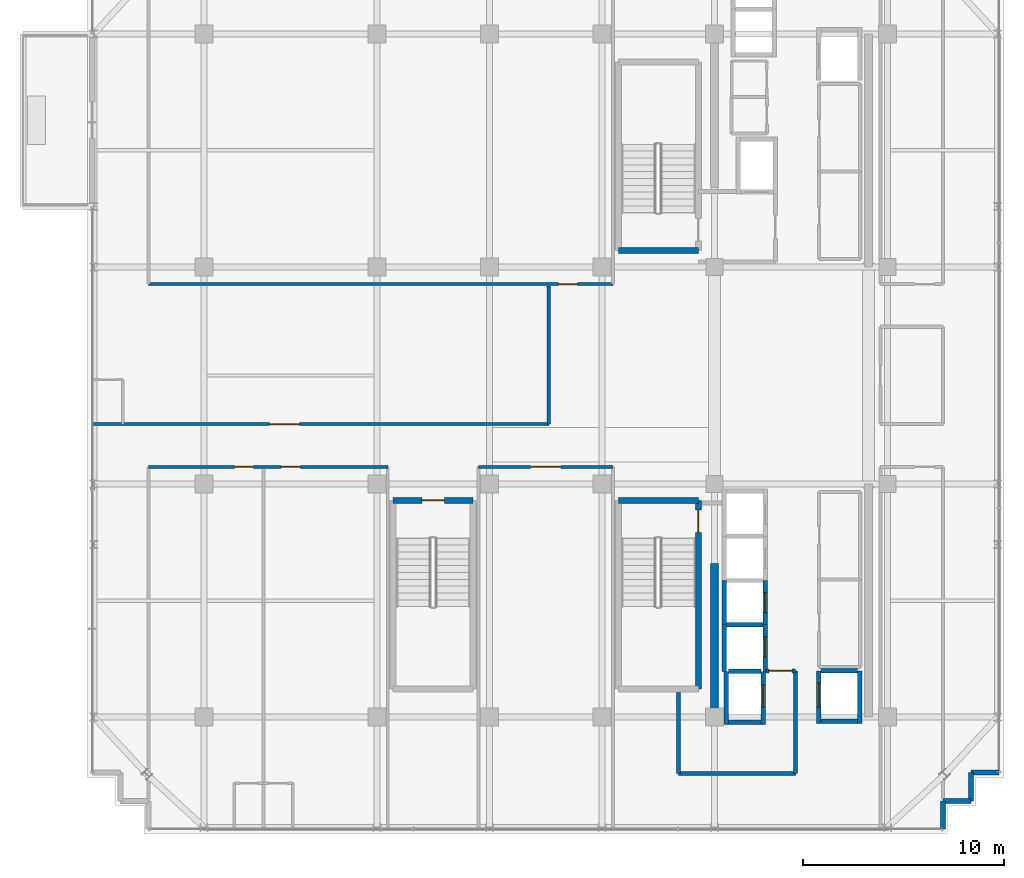
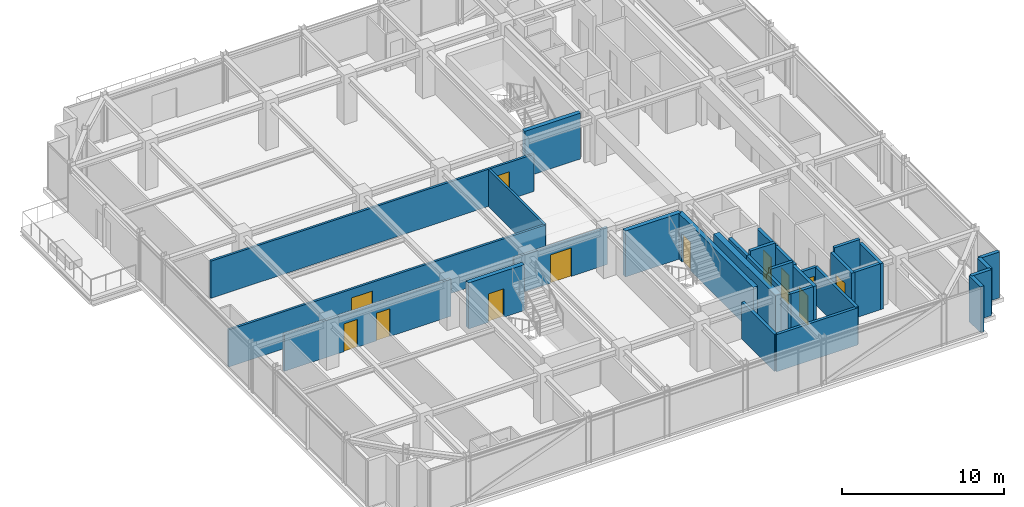
# One storey, part 28 of 34: 31 walls, 12 doors, 12 openings.
"""IFC4 building model written with IfcOpenShell, lengths in metres."""

from ifc_helpers import new_model, si_unit, direction, frame, frame_2d, origin, place, context, subcontext, project, spatial, rectangle, extrude, source, transform, mapped, material, layer, layer_set, type_object, element, fill, save


model = new_model("IFC4")

# Units and contexts
model_context = context("Model", 3, precision=1e-05, world=origin(), true_north=direction((0.0, 1.0)))
body_context = subcontext(model_context, "Body", "Model", "MODEL_VIEW")
ifc_project = project(units=[si_unit("LENGTHUNIT", "METRE"), si_unit("AREAUNIT", "SQUARE_METRE"), si_unit("VOLUMEUNIT", "CUBIC_METRE"), si_unit("PLANEANGLEUNIT", "RADIAN"), si_unit("MASSUNIT", "GRAM", prefix="KILO")], contexts=[model_context])

# Site, building, storey
site_placement = place(None, origin())
site = spatial("IfcSite", under=ifc_project, at=site_placement, CompositionType="ELEMENT")
building_placement = place(site_placement, origin())
building = spatial("IfcBuilding", under=site, at=building_placement, Name="Nahalor Promenade Grand Hotel", CompositionType="ELEMENT")
storey_placement = place(building_placement, frame((0.0, 0.0, 334.75)))
storey = spatial("IfcBuildingStorey", under=building, at=storey_placement, Name="L86", CompositionType="ELEMENT", Elevation=334.75)

# Walls
ifc_material_1 = material(Name="Concrete B-50 (C40/50)", Category="concrete")
ifc_layer_1 = layer(ifc_material_1, 0.39990234375)
ifc_layer_set_1 = layer_set([ifc_layer_1], Name="Concrete B-50 (C40/50)")
wall_type_1 = type_object("IfcWallType", Name="Wall-CoreShear-400", PredefinedType="SHEAR", material=ifc_layer_set_1)
shared_shape_1 = source(origin(), body_context, "Body", "SweptSolid", [
    extrude(rectangle(XDim=7.64990234375, YDim=0.39990234375, at=frame_2d((3.824951171875, 0.0))), origin(), (0.0, 0.0, 1.0), 3.469970703125),
])
wall_1_placement = place(storey_placement, frame((8.39990234375, -17.0, 0.0), z_axis=(0.0, 0.0, 1.0), x_axis=(0.0, 1.0, 0.0)))
element("IfcWall", 1, at=wall_1_placement, inside=storey, type_object=wall_type_1, Name="CWALL-L86-SW", PredefinedType="SHEAR", context=body_context, shape_type="MappedRepresentation", body=[
    mapped(shared_shape_1, transform((0.0, 0.0, 0.0), scale=1.0)),
])
ifc_layer_2 = layer(ifc_material_1, 0.300048828125)
ifc_layer_set_2 = layer_set([ifc_layer_2], Name="Concrete B-50 (C40/50)")
wall_type_2 = type_object("IfcWallType", Name="Wall-ShaftShear-300", PredefinedType="SHEAR", material=ifc_layer_set_2)
shared_shape_2 = source(origin(), body_context, "Body", "SweptSolid", [
    extrude(rectangle(XDim=3.97998046875, YDim=0.300048828125, at=frame_2d((1.989990234375, 0.0))), origin(), (0.0, 0.0, 1.0), 3.469970703125),
])
for number, where, z_axis, x_axis, name in (
    (2, (3.610107421875, 6.2099609375, 0.0), (0.0, 0.0, 1.0), (1.0, 0.0, 0.0), "L86 Exit Stair ST1 Shaft Wall S"),
    (3, (3.610107421875, -6.2099609375, 0.0), (0.0, 0.0, 1.0), (1.0, 0.0, 0.0), "L86 Exit Stair ST2 Shaft Wall N"),
):
    element("IfcWall", number, at=place(storey_placement, frame(where, z_axis=z_axis, x_axis=x_axis)), inside=storey, type_object=wall_type_2, Name=name, PredefinedType="SHEAR", context=body_context, shape_type="MappedRepresentation", body=[
        mapped(shared_shape_2, transform((0.0, 0.0, 0.0), scale=1.0)),
    ])

# Wall, opening, door
wall_2_placement = place(storey_placement, frame((-7.590087890625, -6.2099609375, 0.0), z_axis=(0.0, 0.0, 1.0), x_axis=(1.0, 0.0, 0.0)))
wall_2 = element("IfcWall", 4, at=wall_2_placement, inside=storey, type_object=wall_type_2, Name="L86 Exit Stair ST3 Shaft Wall N", PredefinedType="SHEAR", context=body_context, shape_type="MappedRepresentation", body=[
    mapped(shared_shape_2, transform((0.0, 0.0, 0.0), scale=1.0)),
])
opening_1_placement = place(wall_2_placement, frame((1.43994140625, 0.0, 0.0)))
opening_1 = element("IfcOpeningElement", 5, at=opening_1_placement, cuts=wall_2, Name="Opening D-ST1", PredefinedType="OPENING", context=body_context, shape_type="SweptSolid", body=[
    extrude(rectangle(XDim=1.10009765625, YDim=2.14990234375, at=frame_2d((0.550048828125, 1.074951171875))), frame((0.0, 0.159912109375, 0.0), z_axis=(0.0, -1.0, 0.0), x_axis=(1.0, 0.0, 0.0)), (0.0, 0.0, 1.0), 0.320068359375),
])
ifc_material_2 = material(Name="Steel S355JR", Category="steel")
door_type_1 = type_object("IfcDoorType", Name="Door-StairFire-1100", OperationType="NOTDEFINED", PredefinedType="DOOR", material=ifc_material_2)
shared_shape_3 = source(origin(), body_context, "Body", "SweptSolid", [
    extrude(rectangle(XDim=1.10009765625, YDim=2.14990234375, at=frame_2d((0.550048828125, 1.074951171875))), frame((0.0, 0.02490234375, 0.0), z_axis=(0.0, -1.0, 0.0), x_axis=(1.0, 0.0, 0.0)), (0.0, 0.0, 1.0), 0.050048828125),
])
door_1_placement = place(opening_1_placement, frame((1.10009765625, 0.0, 0.0), z_axis=(0.0, 0.0, 1.0), x_axis=(-1.0, 0.0, 0.0)))
door_1 = element("IfcDoor", 6, at=door_1_placement, inside=storey, type_object=door_type_1, Name="DR-STAIR-ST3-L86", OperationType="SINGLE_SWING_LEFT", OverallHeight=2.14990234375, OverallWidth=1.10009765625, PredefinedType="DOOR", context=body_context, shape_type="MappedRepresentation", body=[
    mapped(shared_shape_3, transform((0.0, 0.0, 0.0), scale=1.0)),
])
fill(opening_1, door_1)

shared_shape_4 = source(origin(), body_context, "Body", "SweptSolid", [
    extrude(rectangle(XDim=9.380126953125, YDim=0.300048828125, at=frame_2d((4.68994140625, 0.0))), origin(), (0.0, 0.0, 1.0), 3.469970703125),
])
wall_3_placement = place(storey_placement, frame((7.590087890625, -15.590087890625, 0.0), z_axis=(0.0, 0.0, 1.0), x_axis=(0.0, 1.0, 0.0)))
wall_3 = element("IfcWall", 7, at=wall_3_placement, inside=storey, type_object=wall_type_2, Name="L86 Exit Stair ST2 Shaft Wall E", PredefinedType="SHEAR", context=body_context, shape_type="MappedRepresentation", body=[
    mapped(shared_shape_4, transform((0.0, 0.0, 0.0), scale=1.0)),
])
opening_2_placement = place(wall_3_placement, frame((7.7900390625, 0.0, 0.0)))
opening_2 = element("IfcOpeningElement", 8, at=opening_2_placement, cuts=wall_3, Name="Opening D-ST1", PredefinedType="OPENING", context=body_context, shape_type="SweptSolid", body=[
    extrude(rectangle(XDim=1.10009765625, YDim=2.14990234375, at=frame_2d((0.550048828125, 1.074951171875))), frame((0.0, 0.159912109375, 0.0), z_axis=(0.0, -1.0, 0.0), x_axis=(1.0, 0.0, 0.0)), (0.0, 0.0, 1.0), 0.320068359375),
])
door_2_placement = place(opening_2_placement, origin())
door_2 = element("IfcDoor", 9, at=door_2_placement, inside=storey, type_object=door_type_1, Name="DR-STAIR-ST2-L86", OperationType="SINGLE_SWING_LEFT", OverallHeight=2.14990234375, OverallWidth=1.10009765625, PredefinedType="DOOR", context=body_context, shape_type="MappedRepresentation", body=[
    mapped(shared_shape_3, transform((0.0, 0.0, 0.0), scale=1.0)),
])
fill(opening_2, door_2)

# Walls
ifc_layer_3 = layer(ifc_material_1, 0.219970703125)
ifc_layer_set_3 = layer_set([ifc_layer_3], Name="Concrete B-50 (C40/50)")
wall_type_3 = type_object("IfcWallType", Name="Wall-LiftShaft-220", PredefinedType="SHEAR", material=ifc_layer_set_3)
shared_shape_5 = source(origin(), body_context, "Body", "SweptSolid", [
    extrude(rectangle(XDim=1.820068359375, YDim=0.219970703125, at=frame_2d((0.91015625, 0.0))), origin(), (0.0, 0.0, 1.0), 3.469970703125),
])
wall_4_placement = place(storey_placement, frame((13.68994140625, -17.199951171875, 0.0), z_axis=(0.0, 0.0, 1.0), x_axis=(1.0, 0.0, 0.0)))
element("IfcWall", 10, at=wall_4_placement, inside=storey, type_object=wall_type_3, Name="L86 Lift SV2 Hoistway Wall S", PredefinedType="SHEAR", context=body_context, shape_type="MappedRepresentation", body=[
    mapped(shared_shape_5, transform((0.0, 0.0, 0.0), scale=1.0)),
])
shared_shape_6 = source(origin(), body_context, "Body", "SweptSolid", [
    extrude(rectangle(XDim=1.820068359375, YDim=0.219970703125, at=frame_2d((0.91015625, 0.0))), origin(), (0.0, 0.0, 1.0), 3.800048828125),
])
for number, where, z_axis, x_axis, name in (
    (11, (8.989990234375, -12.39990234375, 0.0), (0.0, 0.0, 1.0), (1.0, 0.0, 0.0), "L86 Lift PL12 Hoistway Wall N"),
    (12, (13.68994140625, -14.699951171875, 0.0), (0.0, 0.0, 1.0), (1.0, 0.0, 0.0), "L86 Lift SV2 Hoistway Wall N"),
):
    element("IfcWall", number, at=place(storey_placement, frame(where, z_axis=z_axis, x_axis=x_axis)), inside=storey, type_object=wall_type_3, Name=name, PredefinedType="SHEAR", context=body_context, shape_type="MappedRepresentation", body=[
        mapped(shared_shape_6, transform((0.0, 0.0, 0.0), scale=1.0)),
    ])
shared_shape_7 = source(origin(), body_context, "Body", "SweptSolid", [
    extrude(rectangle(XDim=2.199951171875, YDim=0.219970703125, at=frame_2d((1.10009765625, 0.0))), origin(), (0.0, 0.0, 1.0), 3.469970703125),
])
wall_5_placement = place(storey_placement, frame((8.8798828125, -12.39990234375, 0.0), z_axis=(0.0, 0.0, 1.0), x_axis=(0.0, 1.0, 0.0)))
element("IfcWall", 13, at=wall_5_placement, inside=storey, type_object=wall_type_3, Name="L86 Lift PL11 Hoistway Wall W", PredefinedType="SHEAR", context=body_context, shape_type="MappedRepresentation", body=[
    mapped(shared_shape_7, transform((0.0, 0.0, 0.0), scale=1.0)),
])

# Wall, opening, door
wall_6_placement = place(storey_placement, frame((10.919921875, -12.39990234375, 0.0), z_axis=(0.0, 0.0, 1.0), x_axis=(0.0, 1.0, 0.0)))
wall_6 = element("IfcWall", 14, at=wall_6_placement, inside=storey, type_object=wall_type_3, Name="L86 Lift PL11 Hoistway Wall E", PredefinedType="SHEAR", context=body_context, shape_type="MappedRepresentation", body=[
    mapped(shared_shape_7, transform((0.0, 0.0, 0.0), scale=1.0)),
])
opening_3_placement = place(wall_6_placement, frame((0.60009765625, 0.0, 0.0)))
opening_3 = element("IfcOpeningElement", 15, at=opening_3_placement, cuts=wall_6, Name="Opening LD-01", PredefinedType="OPENING", context=body_context, shape_type="SweptSolid", body=[
    extrude(rectangle(XDim=1.0, YDim=2.199951171875, at=frame_2d((0.5, 1.10009765625))), frame((0.0, 0.119873046875, 0.0), z_axis=(0.0, -1.0, 0.0), x_axis=(1.0, 0.0, 0.0)), (0.0, 0.0, 1.0), 0.239990234375),
])
door_type_2 = type_object("IfcDoorType", Name="Door-LiftLanding-1000", OperationType="DOUBLE_DOOR_SLIDING", PredefinedType="DOOR", material=ifc_material_2)
shared_shape_8 = source(origin(), body_context, "Body", "SweptSolid", [
    extrude(rectangle(XDim=1.0, YDim=2.199951171875, at=frame_2d((0.5, 1.10009765625))), frame((0.0, 0.02490234375, 0.0), z_axis=(0.0, -1.0, 0.0), x_axis=(1.0, 0.0, 0.0)), (0.0, 0.0, 1.0), 0.050048828125),
])
door_3_placement = place(opening_3_placement, frame((1.0, 0.0, 0.0), z_axis=(0.0, 0.0, 1.0), x_axis=(-1.0, 0.0, 0.0)))
door_3 = element("IfcDoor", 16, at=door_3_placement, inside=storey, type_object=door_type_2, Name="DR-LIFT-PL11-L86", OperationType="DOUBLE_DOOR_SLIDING", OverallHeight=2.199951171875, OverallWidth=1.0, PredefinedType="DOOR", context=body_context, shape_type="MappedRepresentation", body=[
    mapped(shared_shape_8, transform((0.0, 0.0, 0.0), scale=1.0)),
])
fill(opening_3, door_3)

# Wall
shared_shape_9 = source(origin(), body_context, "Body", "SweptSolid", [
    extrude(rectangle(XDim=2.3251953125, YDim=0.219970703125, at=frame_2d((1.16259765625, 0.0))), origin(), (0.0, 0.0, 1.0), 3.469970703125),
])
wall_7_placement = place(storey_placement, frame((8.8798828125, -14.72509765625, 0.0), z_axis=(0.0, 0.0, 1.0), x_axis=(0.0, 1.0, 0.0)))
element("IfcWall", 17, at=wall_7_placement, inside=storey, type_object=wall_type_3, Name="L86 Lift PL12 Hoistway Wall W", PredefinedType="SHEAR", context=body_context, shape_type="MappedRepresentation", body=[
    mapped(shared_shape_9, transform((0.0, 0.0, 0.0), scale=1.0)),
])

# Wall, opening, door
wall_8_placement = place(storey_placement, frame((10.919921875, -14.72509765625, 0.0), z_axis=(0.0, 0.0, 1.0), x_axis=(0.0, 1.0, 0.0)))
wall_8 = element("IfcWall", 18, at=wall_8_placement, inside=storey, type_object=wall_type_3, Name="L86 Lift PL12 Hoistway Wall E", PredefinedType="SHEAR", context=body_context, shape_type="MappedRepresentation", body=[
    mapped(shared_shape_9, transform((0.0, 0.0, 0.0), scale=1.0)),
])
opening_4_placement = place(wall_8_placement, frame((0.72509765625, 0.0, 0.0)))
opening_4 = element("IfcOpeningElement", 19, at=opening_4_placement, cuts=wall_8, Name="Opening LD-01", PredefinedType="OPENING", context=body_context, shape_type="SweptSolid", body=[
    extrude(rectangle(XDim=1.0, YDim=2.199951171875, at=frame_2d((0.5, 1.10009765625))), frame((0.0, 0.119873046875, 0.0), z_axis=(0.0, -1.0, 0.0), x_axis=(1.0, 0.0, 0.0)), (0.0, 0.0, 1.0), 0.239990234375),
])
door_4_placement = place(opening_4_placement, frame((1.0, 0.0, 0.0), z_axis=(0.0, 0.0, 1.0), x_axis=(-1.0, 0.0, 0.0)))
door_4 = element("IfcDoor", 20, at=door_4_placement, inside=storey, type_object=door_type_2, Name="DR-LIFT-PL12-L86", OperationType="DOUBLE_DOOR_SLIDING", OverallHeight=2.199951171875, OverallWidth=1.0, PredefinedType="DOOR", context=body_context, shape_type="MappedRepresentation", body=[
    mapped(shared_shape_8, transform((0.0, 0.0, 0.0), scale=1.0)),
])
fill(opening_4, door_4)

# Walls
shared_shape_10 = source(origin(), body_context, "Body", "SweptSolid", [
    extrude(rectangle(XDim=1.619873046875, YDim=0.219970703125, at=frame_2d((0.81005859375, 0.0))), origin(), (0.0, 0.0, 1.0), 3.800048828125),
])
wall_9_placement = place(storey_placement, frame((9.090087890625, -14.72509765625, 0.0), z_axis=(0.0, 0.0, 1.0), x_axis=(1.0, 0.0, 0.0)))
element("IfcWall", 21, at=wall_9_placement, inside=storey, type_object=wall_type_3, Name="L86 Lift FL2 Hoistway Wall N", PredefinedType="SHEAR", context=body_context, shape_type="MappedRepresentation", body=[
    mapped(shared_shape_10, transform((0.0, 0.0, 0.0), scale=1.0)),
])
shared_shape_11 = source(origin(), body_context, "Body", "SweptSolid", [
    extrude(rectangle(XDim=2.635009765625, YDim=0.219970703125, at=frame_2d((1.3173828125, 0.0))), origin(), (0.0, 0.0, 1.0), 3.469970703125),
])
wall_10_placement = place(storey_placement, frame((8.97998046875, -17.360107421875, 0.0), z_axis=(0.0, 0.0, 1.0), x_axis=(0.0, 1.0, 0.0)))
element("IfcWall", 22, at=wall_10_placement, inside=storey, type_object=wall_type_3, Name="L86 Lift FL2 Hoistway Wall W", PredefinedType="SHEAR", context=body_context, shape_type="MappedRepresentation", body=[
    mapped(shared_shape_11, transform((0.0, 0.0, 0.0), scale=1.0)),
])

# Wall, opening, door
wall_11_placement = place(storey_placement, frame((10.820068359375, -17.360107421875, 0.0), z_axis=(0.0, 0.0, 1.0), x_axis=(0.0, 1.0, 0.0)))
wall_11 = element("IfcWall", 23, at=wall_11_placement, inside=storey, type_object=wall_type_3, Name="L86 Lift FL2 Hoistway Wall E", PredefinedType="SHEAR", context=body_context, shape_type="MappedRepresentation", body=[
    mapped(shared_shape_11, transform((0.0, 0.0, 0.0), scale=1.0)),
])
opening_5_placement = place(wall_11_placement, frame((0.860107421875, 0.0, 0.0)))
opening_5 = element("IfcOpeningElement", 24, at=opening_5_placement, cuts=wall_11, Name="Opening LD-02", PredefinedType="OPENING", context=body_context, shape_type="SweptSolid", body=[
    extrude(rectangle(XDim=1.10009765625, YDim=2.199951171875, at=frame_2d((0.550048828125, 1.10009765625))), frame((0.0, 0.119873046875, 0.0), z_axis=(0.0, -1.0, 0.0), x_axis=(1.0, 0.0, 0.0)), (0.0, 0.0, 1.0), 0.239990234375),
])
door_type_3 = type_object("IfcDoorType", Name="Door-LiftFF-1100", OperationType="DOUBLE_DOOR_SLIDING", PredefinedType="DOOR", material=ifc_material_2)
shared_shape_12 = source(origin(), body_context, "Body", "SweptSolid", [
    extrude(rectangle(XDim=1.10009765625, YDim=2.199951171875, at=frame_2d((0.550048828125, 1.10009765625))), frame((0.0, 0.02490234375, 0.0), z_axis=(0.0, -1.0, 0.0), x_axis=(1.0, 0.0, 0.0)), (0.0, 0.0, 1.0), 0.050048828125),
])
door_5_placement = place(opening_5_placement, frame((1.10009765625, 0.0, 0.0), z_axis=(0.0, 0.0, 1.0), x_axis=(-1.0, 0.0, 0.0)))
door_5 = element("IfcDoor", 25, at=door_5_placement, inside=storey, type_object=door_type_3, Name="DR-LIFT-FL2-L86", OperationType="DOUBLE_DOOR_SLIDING", OverallHeight=2.199951171875, OverallWidth=1.10009765625, PredefinedType="DOOR", context=body_context, shape_type="MappedRepresentation", body=[
    mapped(shared_shape_12, transform((0.0, 0.0, 0.0), scale=1.0)),
])
fill(opening_5, door_5)

# Wall
shared_shape_13 = source(origin(), body_context, "Body", "SweptSolid", [
    extrude(rectangle(XDim=1.619873046875, YDim=0.219970703125, at=frame_2d((0.81005859375, 0.0))), origin(), (0.0, 0.0, 1.0), 3.469970703125),
])
wall_12_placement = place(storey_placement, frame((9.090087890625, -17.25, 0.0), z_axis=(0.0, 0.0, 1.0), x_axis=(1.0, 0.0, 0.0)))
element("IfcWall", 26, at=wall_12_placement, inside=storey, type_object=wall_type_3, Name="L86 Lift FL2 Hoistway Wall S", PredefinedType="SHEAR", context=body_context, shape_type="MappedRepresentation", body=[
    mapped(shared_shape_13, transform((0.0, 0.0, 0.0), scale=1.0)),
])

# Wall, opening, door
shared_shape_14 = source(origin(), body_context, "Body", "SweptSolid", [
    extrude(rectangle(XDim=2.610107421875, YDim=0.219970703125, at=frame_2d((1.30517578125, 0.0))), origin(), (0.0, 0.0, 1.0), 3.469970703125),
])
wall_13_placement = place(storey_placement, frame((13.580078125, -17.31005859375, 0.0), z_axis=(0.0, 0.0, 1.0), x_axis=(0.0, 1.0, 0.0)))
wall_13 = element("IfcWall", 27, at=wall_13_placement, inside=storey, type_object=wall_type_3, Name="L86 Lift SV2 Hoistway Wall W", PredefinedType="SHEAR", context=body_context, shape_type="MappedRepresentation", body=[
    mapped(shared_shape_14, transform((0.0, 0.0, 0.0), scale=1.0)),
])
opening_6_placement = place(wall_13_placement, frame((0.81005859375, 0.0, 0.0)))
opening_6 = element("IfcOpeningElement", 28, at=opening_6_placement, cuts=wall_13, Name="Opening LD-03", PredefinedType="OPENING", context=body_context, shape_type="SweptSolid", body=[
    extrude(rectangle(XDim=1.199951171875, YDim=2.199951171875, at=frame_2d((0.60009765625, 1.10009765625))), frame((0.0, 0.119873046875, 0.0), z_axis=(0.0, -1.0, 0.0), x_axis=(1.0, 0.0, 0.0)), (0.0, 0.0, 1.0), 0.239990234375),
])
door_type_4 = type_object("IfcDoorType", Name="Door-LiftService-1200", OperationType="DOUBLE_DOOR_SLIDING", PredefinedType="DOOR", material=ifc_material_2)
shared_shape_15 = source(origin(), body_context, "Body", "SweptSolid", [
    extrude(rectangle(XDim=1.199951171875, YDim=2.199951171875, at=frame_2d((0.60009765625, 1.10009765625))), frame((0.0, 0.02490234375, 0.0), z_axis=(0.0, -1.0, 0.0), x_axis=(1.0, 0.0, 0.0)), (0.0, 0.0, 1.0), 0.050048828125),
])
door_6_placement = place(opening_6_placement, origin())
door_6 = element("IfcDoor", 29, at=door_6_placement, inside=storey, type_object=door_type_4, Name="DR-LIFT-SV2-L86", OperationType="DOUBLE_DOOR_SLIDING", OverallHeight=2.199951171875, OverallWidth=1.199951171875, PredefinedType="DOOR", context=body_context, shape_type="MappedRepresentation", body=[
    mapped(shared_shape_15, transform((0.0, 0.0, 0.0), scale=1.0)),
])
fill(opening_6, door_6)

# Walls
wall_14_placement = place(storey_placement, frame((15.6201171875, -17.31005859375, 0.0), z_axis=(0.0, 0.0, 1.0), x_axis=(0.0, 1.0, 0.0)))
element("IfcWall", 30, at=wall_14_placement, inside=storey, type_object=wall_type_3, Name="L86 Lift SV2 Hoistway Wall E", PredefinedType="SHEAR", context=body_context, shape_type="MappedRepresentation", body=[
    mapped(shared_shape_14, transform((0.0, 0.0, 0.0), scale=1.0)),
])
ifc_material_3 = material(Name="Concrete B-40 (C32/40)", Category="concrete")
ifc_layer_4 = layer(ifc_material_3, 0.25)
ifc_layer_set_4 = layer_set([ifc_layer_4], Name="Concrete B-40 (C32/40)")
wall_type_4 = type_object("IfcWallType", Name="Wall-BronzePier-250", PredefinedType="STANDARD", material=ifc_layer_set_4)
shared_shape_16 = source(origin(), body_context, "Body", "SweptSolid", [
    extrude(rectangle(XDim=1.400146484375, YDim=0.25, at=frame_2d((0.7001953125, 0.0))), origin(), (0.0, 0.0, 1.0), 3.469970703125),
])
for number, where, z_axis, x_axis, name in (
    (31, (19.760009765625, -22.56005859375, 0.0), (0.0, 0.0, 1.0), (0.0, 1.0, 0.0), "W-L86-SR-01"),
    (32, (21.159912109375, -19.760009765625, 0.0), (0.0, 0.0, 1.0), (1.0, 0.0, 0.0), "W-L86-SR-04"),
):
    element("IfcWall", number, at=place(storey_placement, frame(where, z_axis=z_axis, x_axis=x_axis)), inside=storey, type_object=wall_type_4, Name=name, PredefinedType="STANDARD", context=body_context, shape_type="MappedRepresentation", body=[
        mapped(shared_shape_16, transform((0.0, 0.0, 0.0), scale=1.0)),
    ])
shared_shape_17 = source(origin(), body_context, "Body", "SweptSolid", [
    extrude(rectangle(XDim=1.39990234375, YDim=0.25, at=frame_2d((0.699951171875, 0.0))), origin(), (0.0, 0.0, 1.0), 3.469970703125),
])
for number, where, z_axis, x_axis, name in (
    (33, (19.760009765625, -21.159912109375, 0.0), (0.0, 0.0, 1.0), (1.0, 0.0, 0.0), "W-L86-SR-02"),
    (34, (21.159912109375, -21.159912109375, 0.0), (0.0, 0.0, 1.0), (0.0, 1.0, 0.0), "W-L86-SR-03"),
):
    element("IfcWall", number, at=place(storey_placement, frame(where, z_axis=z_axis, x_axis=x_axis)), inside=storey, type_object=wall_type_4, Name=name, PredefinedType="STANDARD", context=body_context, shape_type="MappedRepresentation", body=[
        mapped(shared_shape_17, transform((0.0, 0.0, 0.0), scale=1.0)),
    ])
ifc_layer_5 = layer(ifc_material_3, 0.199951171875)
ifc_layer_set_5 = layer_set([ifc_layer_5], Name="Concrete B-40 (C32/40)")
wall_type_5 = type_object("IfcWallType", Name="Wall-PartFire-200", PredefinedType="PARTITIONING", material=ifc_layer_set_5)
shared_shape_18 = source(origin(), body_context, "Body", "SweptSolid", [
    extrude(rectangle(XDim=5.81982421875, YDim=0.199951171875, at=frame_2d((2.909912109375, 0.0))), origin(), (0.0, 0.0, 1.0), 2.81005859375),
])
wall_15_placement = place(storey_placement, frame((6.60009765625, -19.800048828125, 0.0), z_axis=(0.0, 0.0, 1.0), x_axis=(1.0, 0.0, 0.0)))
element("IfcWall", 35, at=wall_15_placement, inside=storey, type_object=wall_type_5, Name="W-L86-FF2-S1", PredefinedType="PARTITIONING", context=body_context, shape_type="MappedRepresentation", body=[
    mapped(shared_shape_18, transform((0.0, 0.0, 0.0), scale=1.0)),
])
shared_shape_19 = source(origin(), body_context, "Body", "SweptSolid", [
    extrude(rectangle(XDim=4.030029296875, YDim=0.199951171875, at=frame_2d((2.01513671875, 0.0))), origin(), (0.0, 0.0, 1.0), 2.81005859375),
])
wall_16_placement = place(storey_placement, frame((6.60009765625, -19.800048828125, 0.0), z_axis=(0.0, 0.0, 1.0), x_axis=(0.0, 1.0, 0.0)))
element("IfcWall", 36, at=wall_16_placement, inside=storey, type_object=wall_type_5, Name="W-L86-FF2-W1", PredefinedType="PARTITIONING", context=body_context, shape_type="MappedRepresentation", body=[
    mapped(shared_shape_19, transform((0.0, 0.0, 0.0), scale=1.0)),
])
shared_shape_20 = source(origin(), body_context, "Body", "SweptSolid", [
    extrude(rectangle(XDim=5.10009765625, YDim=0.199951171875, at=frame_2d((2.550048828125, 0.0))), origin(), (0.0, 0.0, 1.0), 2.81005859375),
])
wall_17_placement = place(storey_placement, frame((12.419921875, -19.800048828125, 0.0), z_axis=(0.0, 0.0, 1.0), x_axis=(0.0, 1.0, 0.0)))
element("IfcWall", 37, at=wall_17_placement, inside=storey, type_object=wall_type_5, Name="W-L86-FF2-E", PredefinedType="PARTITIONING", context=body_context, shape_type="MappedRepresentation", body=[
    mapped(shared_shape_20, transform((0.0, 0.0, 0.0), scale=1.0)),
])

# Wall, opening, door
shared_shape_21 = source(origin(), body_context, "Body", "SweptSolid", [
    extrude(rectangle(XDim=1.4599609375, YDim=0.199951171875, at=frame_2d((0.72998046875, 0.0))), origin(), (0.0, 0.0, 1.0), 2.81005859375),
])
wall_18_placement = place(storey_placement, frame((10.9599609375, -14.699951171875, 0.0), z_axis=(0.0, 0.0, 1.0), x_axis=(1.0, 0.0, 0.0)))
wall_18 = element("IfcWall", 38, at=wall_18_placement, inside=storey, type_object=wall_type_5, Name="W-L86-FF2-N1", PredefinedType="PARTITIONING", context=body_context, shape_type="MappedRepresentation", body=[
    mapped(shared_shape_21, transform((0.0, 0.0, 0.0), scale=1.0)),
])
opening_7_placement = place(wall_18_placement, frame((0.14501953125, 0.0, 0.0)))
opening_7 = element("IfcOpeningElement", 39, at=opening_7_placement, cuts=wall_18, Name="Opening D-FF1", PredefinedType="OPENING", context=body_context, shape_type="SweptSolid", body=[
    extrude(rectangle(XDim=1.14990234375, YDim=2.14990234375, at=frame_2d((0.574951171875, 1.074951171875))), frame((0.0, 0.10986328125, 0.0), z_axis=(0.0, -1.0, 0.0), x_axis=(1.0, 0.0, 0.0)), (0.0, 0.0, 1.0), 0.219970703125),
])
door_type_5 = type_object("IfcDoorType", Name="Door-FFLobby-1150", OperationType="NOTDEFINED", PredefinedType="DOOR", material=ifc_material_2)
shared_shape_22 = source(origin(), body_context, "Body", "SweptSolid", [
    extrude(rectangle(XDim=1.14990234375, YDim=2.14990234375, at=frame_2d((0.574951171875, 1.074951171875))), frame((0.0, 0.02490234375, 0.0), z_axis=(0.0, -1.0, 0.0), x_axis=(1.0, 0.0, 0.0)), (0.0, 0.0, 1.0), 0.050048828125),
])
door_7_placement = place(opening_7_placement, origin())
door_7 = element("IfcDoor", 40, at=door_7_placement, inside=storey, type_object=door_type_5, Name="DR-L86-FFL2", OperationType="SINGLE_SWING_RIGHT", OverallHeight=2.14990234375, OverallWidth=1.14990234375, PredefinedType="DOOR", context=body_context, shape_type="MappedRepresentation", body=[
    mapped(shared_shape_22, transform((0.0, 0.0, 0.0), scale=1.0)),
])
fill(opening_7, door_7)

ifc_material_4 = material(Name="Acoustic Mineral Gypsum", Category="gypsum")
ifc_layer_6 = layer(ifc_material_4, 0.159912109375)
ifc_layer_set_6 = layer_set([ifc_layer_6], Name="Acoustic Mineral Gypsum")
wall_type_6 = type_object("IfcWallType", Name="Wall-PartCorridor-160", PredefinedType="PARTITIONING", material=ifc_layer_set_6)
shared_shape_23 = source(origin(), body_context, "Body", "SweptSolid", [
    extrude(rectangle(XDim=23.10009765625, YDim=0.159912109375, at=frame_2d((11.550048828125, 0.0))), origin(), (0.0, 0.0, 1.0), 2.81005859375),
])
wall_19_placement = place(storey_placement, frame((-19.760009765625, 4.550048828125, 0.0), z_axis=(0.0, 0.0, 1.0), x_axis=(1.0, 0.0, 0.0)))
wall_19 = element("IfcWall", 41, at=wall_19_placement, inside=storey, type_object=wall_type_6, Name="W-L86-CORR-N", PredefinedType="PARTITIONING", context=body_context, shape_type="MappedRepresentation", body=[
    mapped(shared_shape_23, transform((0.0, 0.0, 0.0), scale=1.0)),
])
opening_8_placement = place(wall_19_placement, frame((20.385009765625, 0.0, 0.0)))
opening_8 = element("IfcOpeningElement", 42, at=opening_8_placement, cuts=wall_19, Name="Opening D-01", PredefinedType="OPENING", context=body_context, shape_type="SweptSolid", body=[
    extrude(rectangle(XDim=0.949951171875, YDim=2.10009765625, at=frame_2d((0.47509765625, 1.050048828125))), frame((0.0, 0.08984375, 0.0), z_axis=(0.0, -1.0, 0.0), x_axis=(1.0, 0.0, 0.0)), (0.0, 0.0, 1.0), 0.179931640625),
])
ifc_material_5 = material(Name="Fire-Rated Timber Composite", Category="wood")
door_type_6 = type_object("IfcDoorType", Name="Door-GuestEntry-950", OperationType="NOTDEFINED", PredefinedType="DOOR", material=ifc_material_5)
shared_shape_24 = source(origin(), body_context, "Body", "SweptSolid", [
    extrude(rectangle(XDim=0.949951171875, YDim=2.10009765625, at=frame_2d((0.47509765625, 1.050048828125))), frame((0.0, 0.02490234375, 0.0), z_axis=(0.0, -1.0, 0.0), x_axis=(1.0, 0.0, 0.0)), (0.0, 0.0, 1.0), 0.050048828125),
])
door_8_placement = place(opening_8_placement, origin())
door_8 = element("IfcDoor", 43, at=door_8_placement, inside=storey, type_object=door_type_6, Name="DR-L86-N1-ENT", OperationType="SINGLE_SWING_RIGHT", OverallHeight=2.10009765625, OverallWidth=0.949951171875, PredefinedType="DOOR", context=body_context, shape_type="MappedRepresentation", body=[
    mapped(shared_shape_24, transform((0.0, 0.0, 0.0), scale=1.0)),
])
fill(opening_8, door_8)

# Wall, openings, doors
shared_shape_25 = source(origin(), body_context, "Body", "SweptSolid", [
    extrude(rectangle(XDim=11.89990234375, YDim=0.159912109375, at=frame_2d((5.949951171875, 0.0))), origin(), (0.0, 0.0, 1.0), 2.81005859375),
])
wall_20_placement = place(storey_placement, frame((-19.760009765625, -4.550048828125, 0.0), z_axis=(0.0, 0.0, 1.0), x_axis=(1.0, 0.0, 0.0)))
wall_20 = element("IfcWall", 44, at=wall_20_placement, inside=storey, type_object=wall_type_6, Name="W-L86-CORR-S", PredefinedType="PARTITIONING", context=body_context, shape_type="MappedRepresentation", body=[
    mapped(shared_shape_25, transform((0.0, 0.0, 0.0), scale=1.0)),
])
opening_9_placement = place(wall_20_placement, frame((4.27099609375, 0.0, 0.0)))
opening_9 = element("IfcOpeningElement", 45, at=opening_9_placement, cuts=wall_20, Name="Opening D-01", PredefinedType="OPENING", context=body_context, shape_type="SweptSolid", body=[
    extrude(rectangle(XDim=0.949951171875, YDim=2.10009765625, at=frame_2d((0.47509765625, 1.050048828125))), frame((0.0, 0.08984375, 0.0), z_axis=(0.0, -1.0, 0.0), x_axis=(1.0, 0.0, 0.0)), (0.0, 0.0, 1.0), 0.179931640625),
])
opening_10_placement = place(wall_20_placement, frame((6.597900390625, 0.0, 0.0)))
opening_10 = element("IfcOpeningElement", 46, at=opening_10_placement, cuts=wall_20, Name="Opening D-01", PredefinedType="OPENING", context=body_context, shape_type="SweptSolid", body=[
    extrude(rectangle(XDim=0.949951171875, YDim=2.10009765625, at=frame_2d((0.47509765625, 1.050048828125))), frame((0.0, 0.08984375, 0.0), z_axis=(0.0, -1.0, 0.0), x_axis=(1.0, 0.0, 0.0)), (0.0, 0.0, 1.0), 0.179931640625),
])
door_9_placement = place(opening_9_placement, frame((0.949951171875, 0.0, 0.0), z_axis=(0.0, 0.0, 1.0), x_axis=(-1.0, 0.0, 0.0)))
door_9 = element("IfcDoor", 47, at=door_9_placement, inside=storey, type_object=door_type_6, Name="DR-L86-S1-ENT", OperationType="SINGLE_SWING_RIGHT", OverallHeight=2.10009765625, OverallWidth=0.949951171875, PredefinedType="DOOR", context=body_context, shape_type="MappedRepresentation", body=[
    mapped(shared_shape_24, transform((0.0, 0.0, 0.0), scale=1.0)),
])
fill(opening_9, door_9)
door_10_placement = place(opening_10_placement, frame((0.949951171875, 0.0, 0.0), z_axis=(0.0, 0.0, 1.0), x_axis=(-1.0, 0.0, 0.0)))
door_10 = element("IfcDoor", 48, at=door_10_placement, inside=storey, type_object=door_type_6, Name="DR-L86-S2-ENT", OperationType="SINGLE_SWING_RIGHT", OverallHeight=2.10009765625, OverallWidth=0.949951171875, PredefinedType="DOOR", context=body_context, shape_type="MappedRepresentation", body=[
    mapped(shared_shape_24, transform((0.0, 0.0, 0.0), scale=1.0)),
])
fill(opening_10, door_10)

# Wall, opening, door
shared_shape_26 = source(origin(), body_context, "Body", "SweptSolid", [
    extrude(rectangle(XDim=6.68017578125, YDim=0.159912109375, at=frame_2d((3.340087890625, 0.0))), origin(), (0.0, 0.0, 1.0), 2.81005859375),
])
wall_21_placement = place(storey_placement, frame((-3.340087890625, -4.550048828125, 0.0), z_axis=(0.0, 0.0, 1.0), x_axis=(1.0, 0.0, 0.0)))
wall_21 = element("IfcWall", 49, at=wall_21_placement, inside=storey, type_object=wall_type_6, Name="W-L86-SCB-N", PredefinedType="PARTITIONING", context=body_context, shape_type="MappedRepresentation", body=[
    mapped(shared_shape_26, transform((0.0, 0.0, 0.0), scale=1.0)),
])
opening_11_placement = place(wall_21_placement, frame((2.590087890625, 0.0, 0.0)))
opening_11 = element("IfcOpeningElement", 50, at=opening_11_placement, cuts=wall_21, Name="Opening D-02", PredefinedType="OPENING", context=body_context, shape_type="SweptSolid", body=[
    extrude(rectangle(XDim=1.5, YDim=2.14990234375, at=frame_2d((0.75, 1.074951171875))), frame((0.0, 0.08984375, 0.0), z_axis=(0.0, -1.0, 0.0), x_axis=(1.0, 0.0, 0.0)), (0.0, 0.0, 1.0), 0.179931640625),
])
door_type_7 = type_object("IfcDoorType", Name="Door-SuiteDouble-1500", OperationType="DOUBLE_DOOR_SINGLE_SWING", PredefinedType="DOOR", material=ifc_material_5)
shared_shape_27 = source(origin(), body_context, "Body", "SweptSolid", [
    extrude(rectangle(XDim=1.5, YDim=2.14990234375, at=frame_2d((0.75, 1.074951171875))), frame((0.0, 0.02490234375, 0.0), z_axis=(0.0, -1.0, 0.0), x_axis=(1.0, 0.0, 0.0)), (0.0, 0.0, 1.0), 0.050048828125),
])
door_11_placement = place(opening_11_placement, frame((1.5, 0.0, 0.0), z_axis=(0.0, 0.0, 1.0), x_axis=(-1.0, 0.0, 0.0)))
door_11 = element("IfcDoor", 51, at=door_11_placement, inside=storey, type_object=door_type_7, Name="DR-L86-SCB", OperationType="DOUBLE_DOOR_SINGLE_SWING", OverallHeight=2.14990234375, OverallWidth=1.5, PredefinedType="DOOR", context=body_context, shape_type="MappedRepresentation", body=[
    mapped(shared_shape_27, transform((0.0, 0.0, 0.0), scale=1.0)),
])
fill(opening_11, door_11)

shared_shape_28 = source(origin(), body_context, "Body", "SweptSolid", [
    extrude(rectangle(XDim=22.64990234375, YDim=0.159912109375, at=frame_2d((11.324951171875, 0.0))), origin(), (0.0, 0.0, 1.0), 2.81005859375),
])
wall_22_placement = place(storey_placement, frame((-22.5, -2.419921875, 0.0), z_axis=(0.0, 0.0, 1.0), x_axis=(1.0, 0.0, 0.0)))
wall_22 = element("IfcWall", 52, at=wall_22_placement, inside=storey, type_object=wall_type_6, Name="W-L86-WEST-S", PredefinedType="PARTITIONING", context=body_context, shape_type="MappedRepresentation", body=[
    mapped(shared_shape_28, transform((0.0, 0.0, 0.0), scale=1.0)),
])
opening_12_placement = place(wall_22_placement, frame((8.758056640625, 0.0, 0.0)))
opening_12 = element("IfcOpeningElement", 53, at=opening_12_placement, cuts=wall_22, Name="Opening D-02", PredefinedType="OPENING", context=body_context, shape_type="SweptSolid", body=[
    extrude(rectangle(XDim=1.5, YDim=2.14990234375, at=frame_2d((0.75, 1.074951171875))), frame((0.0, 0.08984375, 0.0), z_axis=(0.0, -1.0, 0.0), x_axis=(1.0, 0.0, 0.0)), (0.0, 0.0, 1.0), 0.179931640625),
])
door_12_placement = place(opening_12_placement, frame((1.5, 0.0, 0.0), z_axis=(0.0, 0.0, 1.0), x_axis=(-1.0, 0.0, 0.0)))
door_12 = element("IfcDoor", 54, at=door_12_placement, inside=storey, type_object=door_type_7, Name="DR-L86-W1-ENT", OperationType="DOUBLE_DOOR_SINGLE_SWING", OverallHeight=2.14990234375, OverallWidth=1.5, PredefinedType="DOOR", context=body_context, shape_type="MappedRepresentation", body=[
    mapped(shared_shape_27, transform((0.0, 0.0, 0.0), scale=1.0)),
])
fill(opening_12, door_12)

# Wall
shared_shape_29 = source(origin(), body_context, "Body", "SweptSolid", [
    extrude(rectangle(XDim=6.8798828125, YDim=0.159912109375, at=frame_2d((3.43994140625, 0.0))), origin(), (0.0, 0.0, 1.0), 2.81005859375),
])
wall_23_placement = place(storey_placement, frame((0.14990234375, -2.419921875, 0.0), z_axis=(0.0, 0.0, 1.0), x_axis=(0.0, 1.0, 0.0)))
element("IfcWall", 55, at=wall_23_placement, inside=storey, type_object=wall_type_6, Name="W-L86-WEST-E", PredefinedType="PARTITIONING", context=body_context, shape_type="MappedRepresentation", body=[
    mapped(shared_shape_29, transform((0.0, 0.0, 0.0), scale=1.0)),
])

save(model, "model.ifc")
